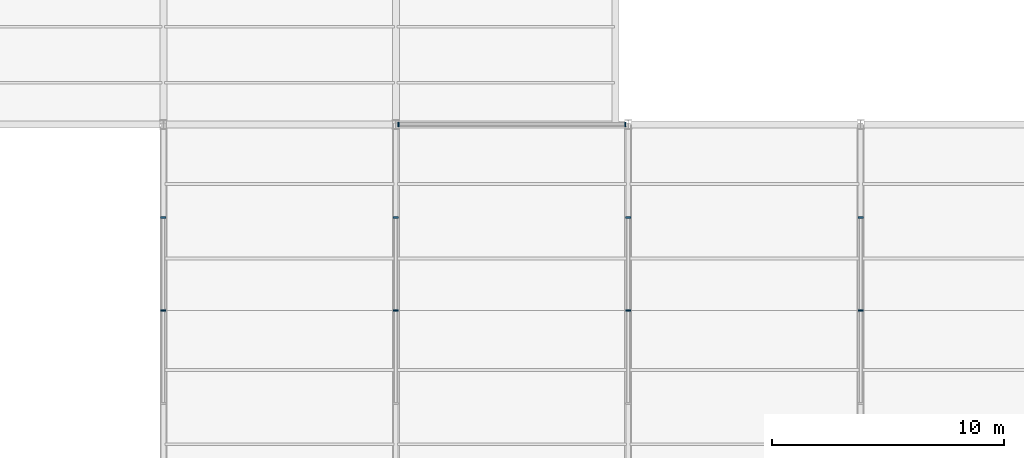
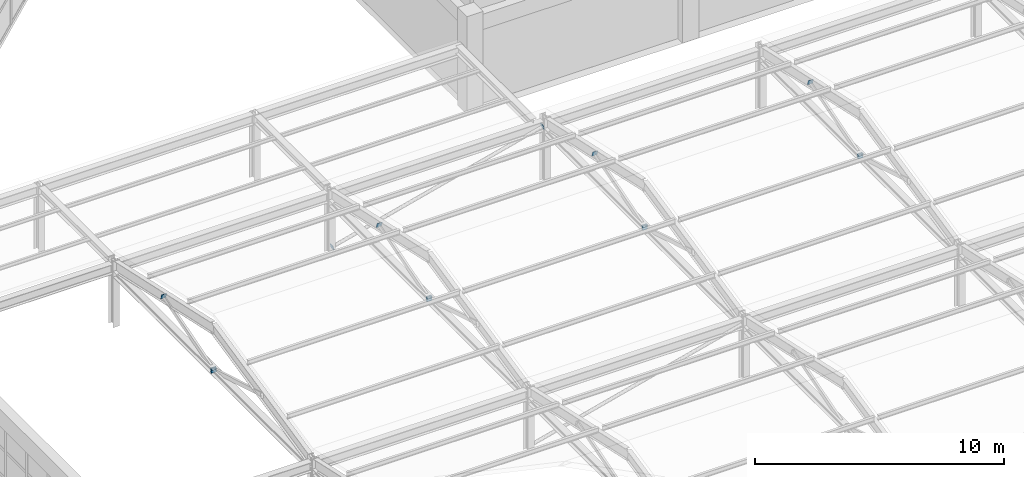
# One storey, part 84 of 109: 14 plates.
"""IFC4 building model written with IfcOpenShell, lengths in metres."""

from ifc_helpers import new_model, si_unit, direction, frame, origin, origin_2d, place, context, subcontext, project, spatial, rectangle, extrude, material, layer, layer_set, type_object, element, save


model = new_model("IFC4")

# Units and contexts
model_context = context("Model", 3, precision=1e-05, world=origin(), true_north=direction((0.0, 1.0)))
body_context = subcontext(model_context, "Body", "Model", "MODEL_VIEW")
ifc_project = project(units=[si_unit("LENGTHUNIT", "METRE"), si_unit("AREAUNIT", "SQUARE_METRE"), si_unit("VOLUMEUNIT", "CUBIC_METRE"), si_unit("PLANEANGLEUNIT", "RADIAN"), si_unit("MASSUNIT", "GRAM", prefix="KILO")], contexts=[model_context])

# Site, building, storey
site_placement = place(None, origin())
site = spatial("IfcSite", under=ifc_project, at=site_placement, CompositionType="ELEMENT")
building_placement = place(site_placement, origin())
building = spatial("IfcBuilding", under=site, at=building_placement, Name="Kivolera Central Railway Station", CompositionType="ELEMENT")
storey_placement = place(building_placement, frame((0.0, 0.0, 9.60009765625)))
storey = spatial("IfcBuildingStorey", under=building, at=storey_placement, Name="L02", CompositionType="ELEMENT", Elevation=9.60009765625)

# Plates
ifc_material = material(Name="Steel S355", Category="steel")
ifc_layer_1 = layer(ifc_material, 0.02001953125, Name="Steel S355")
ifc_layer_set_1 = layer_set([ifc_layer_1], Name="Steel S355")
plate_type_1 = type_object("IfcPlateType", Name="PLT-CAP-210", PredefinedType="SHEET", material=ifc_layer_set_1)
for number, where, z_axis, x_axis, name in (
    (1, (108.123046875, 48.0, 0.2490234375), (0.968639336195, 0.0, 0.24847099705), (0.0, 1.0, 0.0), "Hollow section end-cap plate NP-CAP3"),
    (2, (117.876953125, 48.0, 2.7509765625), (0.968639336195, 0.0, 0.24847099705), (0.0, 1.0, 0.0), "Hollow section end-cap plate NP-CAP3"),
):
    element("IfcPlate", number, at=place(storey_placement, frame(where, z_axis=z_axis, x_axis=x_axis)), inside=storey, type_object=plate_type_1, Name=name, PredefinedType="SHEET", context=body_context, shape_type="SweptSolid", body=[
        extrude(rectangle(XDim=0.2099609375, YDim=0.2099609375, at=origin_2d()), frame((0.0, 0.0, -0.010009765625)), (0.0, 0.0, 1.0), 0.02001953125),
    ])
ifc_layer_2 = layer(ifc_material, 0.02197265625, Name="Steel S355")
ifc_layer_set_2 = layer_set([ifc_layer_2], Name="Steel S355")
plate_type_2 = type_object("IfcPlateType", Name="PLT-CAP-260", PredefinedType="SHEET", material=ifc_layer_set_2)
for number, where, z_axis, x_axis, name in (
    (3, (98.0, 40.00390625, 2.618896484375), (0.0, -0.958810202665, 0.284047522901), (1.0, 0.0, 0.0), "Hollow section end-cap plate NP-CAP2"),
    (4, (98.0, 39.99609375, 2.618896484375), (0.0, 0.958810202665, 0.284047522901), (-1.0, 0.0, 0.0), "Hollow section end-cap plate NP-CAP2"),
    (5, (98.0, 44.00390625, 3.805908203125), (0.0, 0.958810202665, 0.284047522901), (-1.0, 0.0, 0.0), "Hollow section end-cap plate NP-CAP2"),
    (6, (108.0, 40.00390625, 2.618896484375), (0.0, -0.958810202665, 0.284047522901), (1.0, 0.0, 0.0), "Hollow section end-cap plate NP-CAP2"),
    (7, (108.0, 39.99609375, 2.618896484375), (0.0, 0.958810202665, 0.284047522901), (-1.0, 0.0, 0.0), "Hollow section end-cap plate NP-CAP2"),
    (8, (108.0, 44.00390625, 3.805908203125), (0.0, 0.958810202665, 0.284047522901), (-1.0, 0.0, 0.0), "Hollow section end-cap plate NP-CAP2"),
    (9, (118.0, 40.00390625, 2.618896484375), (0.0, -0.958810202665, 0.284047522901), (1.0, 0.0, 0.0), "Hollow section end-cap plate NP-CAP2"),
    (10, (118.0, 39.99609375, 2.618896484375), (0.0, 0.958810202665, 0.284047522901), (-1.0, 0.0, 0.0), "Hollow section end-cap plate NP-CAP2"),
    (11, (118.0, 44.00390625, 3.805908203125), (0.0, 0.958810202665, 0.284047522901), (-1.0, 0.0, 0.0), "Hollow section end-cap plate NP-CAP2"),
    (12, (128.0, 40.00390625, 2.618896484375), (0.0, -0.958810202665, 0.284047522901), (1.0, 0.0, 0.0), "Hollow section end-cap plate NP-CAP2"),
    (13, (128.0, 39.99609375, 2.618896484375), (0.0, 0.958810202665, 0.284047522901), (-1.0, 0.0, 0.0), "Hollow section end-cap plate NP-CAP2"),
    (14, (128.0, 44.00390625, 3.805908203125), (0.0, 0.958810202665, 0.284047522901), (-1.0, 0.0, 0.0), "Hollow section end-cap plate NP-CAP2"),
):
    element("IfcPlate", number, at=place(storey_placement, frame(where, z_axis=z_axis, x_axis=x_axis)), inside=storey, type_object=plate_type_2, Name=name, PredefinedType="SHEET", context=body_context, shape_type="SweptSolid", body=[
        extrude(rectangle(XDim=0.239990234375, YDim=0.239990234375, at=origin_2d()), frame((0.0, 0.0, -0.010986328125)), (0.0, 0.0, 1.0), 0.02197265625),
    ])

save(model, "model.ifc")
